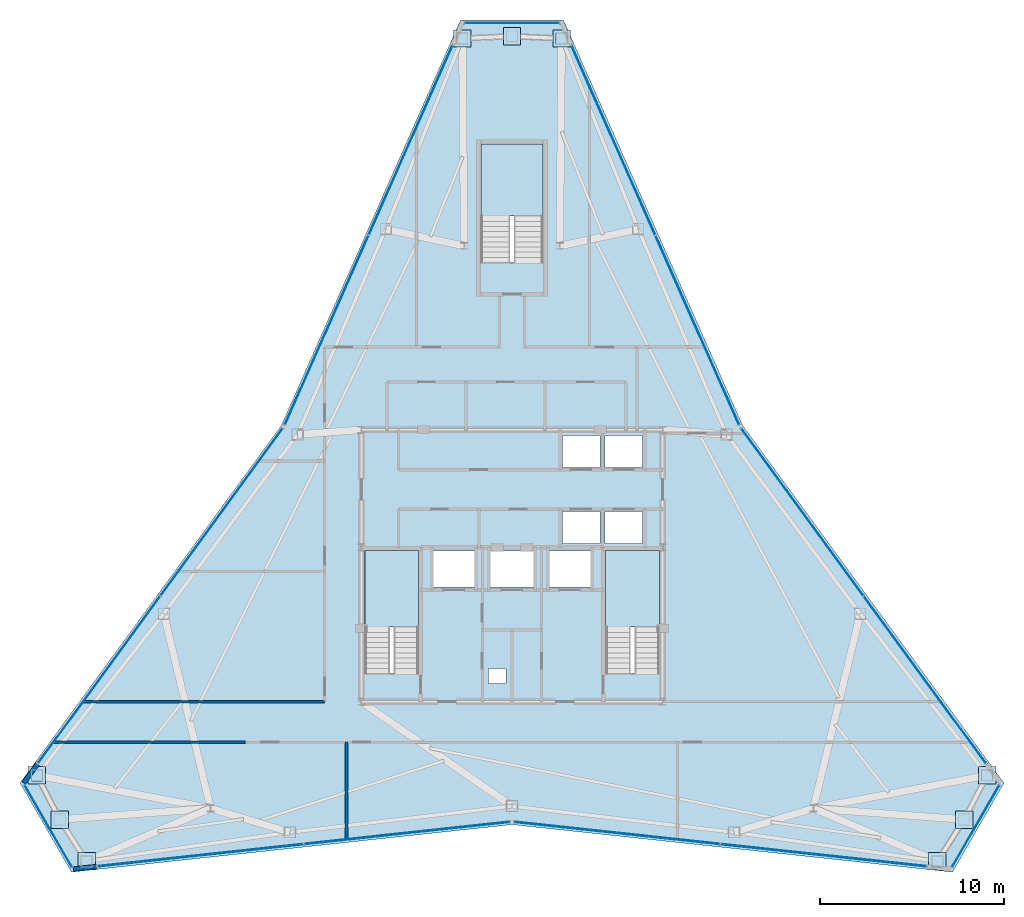
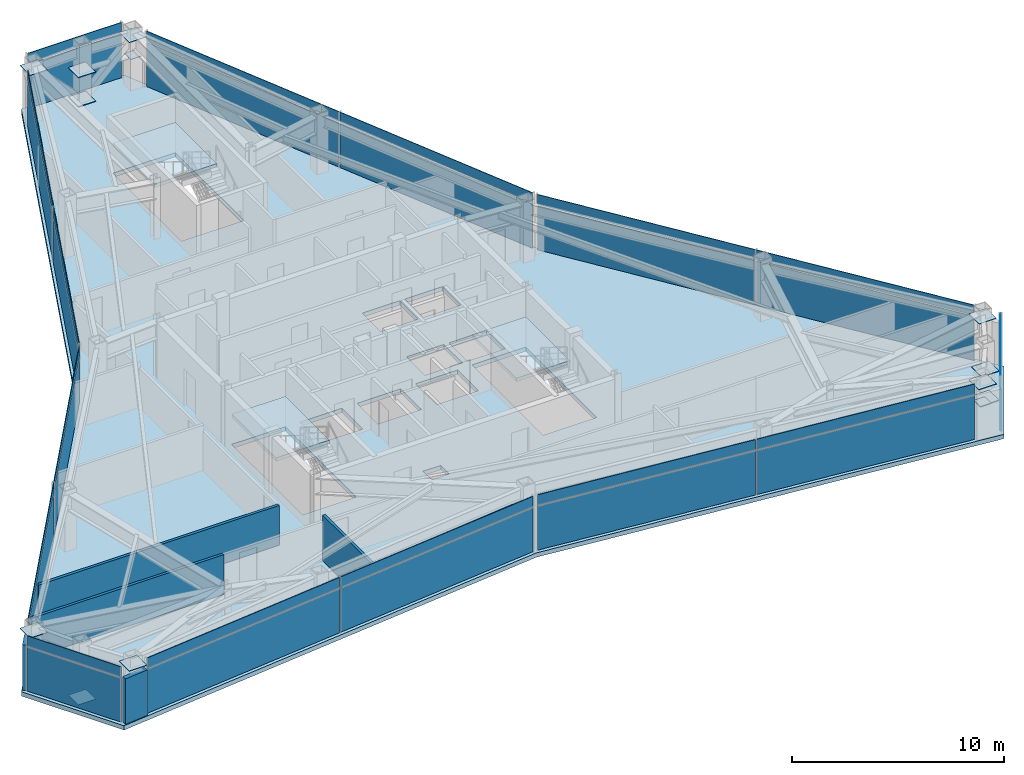
# One storey, part 8 of 12: 45 plates, 5 walls, 4 slabs, 12 elements without a shape of their own.
"""IFC4 building model written with IfcOpenShell, lengths in metres."""

from ifc_helpers import new_model, si_unit, direction, frame, frame_2d, origin, origin_2d, place, context, subcontext, project, spatial, polyline, rectangle, outline, extrude, source, transform, mapped, material, layer, layer_set, type_object, type_shapes, element, aggregate, save


model = new_model("IFC4")

# Units and contexts
model_context = context("Model", 3, precision=1e-05, world=origin(), true_north=direction((0.0, 1.0)))
body_context = subcontext(model_context, "Body", "Model", "MODEL_VIEW")
ifc_project = project(units=[si_unit("LENGTHUNIT", "METRE"), si_unit("AREAUNIT", "SQUARE_METRE"), si_unit("VOLUMEUNIT", "CUBIC_METRE"), si_unit("PLANEANGLEUNIT", "RADIAN"), si_unit("MASSUNIT", "GRAM", prefix="KILO")], contexts=[model_context])

# Site, building, storey
site_placement = place(None, origin())
site = spatial("IfcSite", under=ifc_project, at=site_placement, CompositionType="ELEMENT")
building_placement = place(site_placement, origin())
building = spatial("IfcBuilding", under=site, at=building_placement, Name="Varakhsha Concourse Tower", CompositionType="ELEMENT")
storey_placement = place(building_placement, frame((0.0, 0.0, 265.5)))
storey = spatial("IfcBuildingStorey", under=building, at=storey_placement, Name="L75", CompositionType="ELEMENT", Elevation=265.5)

# Slab
ifc_material_1 = material(Name="Concrete fc 45 MPa", Category="concrete")
ifc_layer_1 = layer(ifc_material_1, 0.25, Name="SL-FLR-250")
ifc_layer_set_1 = layer_set([ifc_layer_1], Name="Concrete fc 45 MPa")
slab_type_1 = type_object("IfcSlabType", Name="SL-FLR-250", PredefinedType="FLOOR", material=ifc_layer_set_1)
slab_1_placement = place(storey_placement, frame((0.0, 0.0, -0.25)))
element("IfcSlab", 1, at=slab_1_placement, inside=storey, type_object=slab_type_1, Name="L75 Composite Structural Slab", PredefinedType="FLOOR", context=body_context, shape_type="SweptSolid", body=[
    extrude(outline(polyline([(42.800048828125, 53.4970703125), (37.199951171875, 53.4970703125), (27.45263671875, 31.444091796875), (13.22802734375, 11.976318359375), (16.028076171875, 7.126708984375), (40.0, 9.711669921875), (63.971923828125, 7.126708984375), (66.77197265625, 11.976318359375), (52.54736328125, 31.444091796875), (42.800048828125, 53.4970703125)]), holes=[polyline([(34.919921875, 17.93994140625), (34.919921875, 24.6298828125), (32.0, 24.6298828125), (32.0, 17.93994140625), (34.919921875, 17.93994140625)]), polyline([(48.02001953125, 17.93994140625), (48.02001953125, 24.6298828125), (45.10009765625, 24.6298828125), (45.10009765625, 17.93994140625), (48.02001953125, 17.93994140625)]), polyline([(41.699951171875, 40.300048828125), (41.699951171875, 46.75), (38.300048828125, 46.75), (38.300048828125, 40.300048828125), (41.699951171875, 40.300048828125)]), polyline([(42.739990234375, 29.159912109375), (44.780029296875, 29.159912109375), (44.780029296875, 30.89990234375), (42.739990234375, 30.89990234375), (42.739990234375, 29.159912109375)]), polyline([(45.06005859375, 29.159912109375), (47.10009765625, 29.159912109375), (47.10009765625, 30.89990234375), (45.06005859375, 30.89990234375), (45.06005859375, 29.159912109375)]), polyline([(42.739990234375, 25.0), (44.780029296875, 25.0), (44.780029296875, 26.739990234375), (42.739990234375, 26.739990234375), (42.739990234375, 25.0)]), polyline([(45.06005859375, 25.0), (47.10009765625, 25.0), (47.10009765625, 26.739990234375), (45.06005859375, 26.739990234375), (45.06005859375, 25.0)]), polyline([(35.7099609375, 22.639892578125), (37.989990234375, 22.639892578125), (37.989990234375, 24.60009765625), (35.7099609375, 24.60009765625), (35.7099609375, 22.639892578125)]), polyline([(42.010009765625, 22.639892578125), (44.2900390625, 22.639892578125), (44.2900390625, 24.60009765625), (42.010009765625, 24.60009765625), (42.010009765625, 22.639892578125)]), polyline([(38.81005859375, 22.639892578125), (41.18994140625, 22.639892578125), (41.18994140625, 24.60009765625), (38.81005859375, 24.60009765625), (38.81005859375, 22.639892578125)]), polyline([(38.719970703125, 17.39990234375), (39.679931640625, 17.39990234375), (39.679931640625, 18.199951171875), (38.719970703125, 18.199951171875), (38.719970703125, 17.39990234375)])]), origin(), (0.0, 0.0, 1.0), 0.25),
])

# Stair, slab
stair_type_1 = type_object("IfcStairType", Name="ST-DOGLEG-1360", PredefinedType="HALF_TURN_STAIR", material=ifc_material_1)
stair_1_placement = place(storey_placement, origin())
stair_1 = element("IfcStair", 2, at=stair_1_placement, inside=storey, type_object=stair_type_1, Name="L75 Protected Exit Stair ST1", PredefinedType="HALF_TURN_STAIR")
ifc_layer_2 = layer(ifc_material_1, 0.199951171875, Name="SL-LAND-200")
ifc_layer_set_2 = layer_set([ifc_layer_2], Name="Concrete fc 45 MPa")
slab_type_2 = type_object("IfcSlabType", Name="SL-LAND-200", PredefinedType="LANDING", material=ifc_layer_set_2)
slab_2_placement = place(storey_placement, frame((0.0, 0.0, 1.550048828125)))
slab_2 = element("IfcSlab", 3, at=slab_2_placement, type_object=slab_type_2, Name="ST1 landing 1", PredefinedType="LANDING", context=body_context, shape_type="SweptSolid", body=[
    extrude(outline(polyline([(34.919921875, 20.4599609375), (34.919921875, 24.6298828125), (32.0, 24.6298828125), (32.0, 20.4599609375), (34.919921875, 20.4599609375)])), origin(), (0.0, 0.0, 1.0), 0.199951171875),
])
aggregate(stair_1, [slab_2])

stair_2_placement = place(storey_placement, origin())
stair_2 = element("IfcStair", 4, at=stair_2_placement, inside=storey, type_object=stair_type_1, Name="L75 Protected Exit Stair ST2", PredefinedType="HALF_TURN_STAIR")
slab_3_placement = place(storey_placement, frame((0.0, 0.0, 1.550048828125)))
slab_3 = element("IfcSlab", 5, at=slab_3_placement, type_object=slab_type_2, Name="ST2 landing 1", PredefinedType="LANDING", context=body_context, shape_type="SweptSolid", body=[
    extrude(outline(polyline([(48.02001953125, 20.4599609375), (48.02001953125, 24.6298828125), (45.10009765625, 24.6298828125), (45.10009765625, 20.4599609375), (48.02001953125, 20.4599609375)])), origin(), (0.0, 0.0, 1.0), 0.199951171875),
])
aggregate(stair_2, [slab_3])

stair_type_2 = type_object("IfcStairType", Name="ST-DOGLEG-1600", PredefinedType="HALF_TURN_STAIR", material=ifc_material_1)
stair_3_placement = place(storey_placement, origin())
stair_3 = element("IfcStair", 6, at=stair_3_placement, inside=storey, type_object=stair_type_2, Name="L75 Protected Exit Stair ST5", PredefinedType="HALF_TURN_STAIR")
slab_4_placement = place(storey_placement, frame((0.0, 0.0, 1.550048828125)))
slab_4 = element("IfcSlab", 7, at=slab_4_placement, type_object=slab_type_2, Name="ST5 landing 1", PredefinedType="LANDING", context=body_context, shape_type="SweptSolid", body=[
    extrude(outline(polyline([(41.699951171875, 42.820068359375), (41.699951171875, 46.75), (38.300048828125, 46.75), (38.300048828125, 42.820068359375), (41.699951171875, 42.820068359375)])), origin(), (0.0, 0.0, 1.0), 0.199951171875),
])
aggregate(stair_3, [slab_4])

# Plates
ifc_material_2 = material(Name="Structural Steel ASTM A572 Grade 50", Category="steel")
ifc_layer_3 = layer(ifc_material_2, 0.030029296875, Name="PL-ENDCAP-950")
ifc_layer_set_3 = layer_set([ifc_layer_3], Name="Structural Steel ASTM A572 Grade 50")
plate_type_1 = type_object("IfcPlateType", Name="PL-ENDCAP-950", PredefinedType="USERDEFINED", material=ifc_layer_set_3)
shared_shape_1 = source(origin(), body_context, "Body", "SweptSolid", [
    extrude(rectangle(XDim=0.949951171875, YDim=0.949951171875, at=origin_2d()), origin(), (0.0, 0.0, 1.0), 0.030029296875),
])
type_shapes(plate_type_1, [shared_shape_1])
for number, where, z_axis, x_axis, name in (
    (8, (40.0, 52.616943359375, 0.10498046875), (0.0, 0.0, 1.0), (1.0, 0.0, 0.0), "Hollow Section End Cap GP-NODE-L75-0796"),
    (9, (42.70361328125, 52.489501953125, 2.93505859375), (0.0, 0.0, 1.0), (1.0, 0.0, 0.0), "Hollow Section End Cap GP-NODE-L75-0797"),
    (10, (37.29638671875, 52.489501953125, 2.93505859375), (0.0, 0.0, 1.0), (1.0, 0.0, 0.0), "Hollow Section End Cap GP-NODE-L75-0798"),
    (11, (15.39013671875, 9.991455078125, 0.10498046875), (0.0, 0.0, 1.0), (1.0, 0.0, 0.0), "Hollow Section End Cap GP-NODE-L75-0799"),
    (12, (14.148681640625, 12.396728515625, 2.93505859375), (0.0, 0.0, 1.0), (1.0, 0.0, 0.0), "Hollow Section End Cap GP-NODE-L75-0800"),
    (13, (16.852294921875, 7.713623046875, 2.93505859375), (0.0, 0.0, 1.0), (1.0, 0.0, 0.0), "Hollow Section End Cap GP-NODE-L75-0801"),
    (14, (64.60986328125, 9.991455078125, 0.10498046875), (0.0, 0.0, 1.0), (1.0, 0.0, 0.0), "Hollow Section End Cap GP-NODE-L75-0802"),
    (15, (63.147705078125, 7.713623046875, 2.93505859375), (0.0, 0.0, 1.0), (1.0, 0.0, 0.0), "Hollow Section End Cap GP-NODE-L75-0803"),
    (16, (65.851318359375, 12.396728515625, 2.93505859375), (0.0, 0.0, 1.0), (1.0, 0.0, 0.0), "Hollow Section End Cap GP-NODE-L75-0804"),
    (17, (40.0, 52.616943359375, 1.78515625), (0.0, 0.0, 1.0), (1.0, 0.0, 0.0), "Hollow Section End Cap GP-NODE-L75-0805"),
    (18, (15.39013671875, 9.991455078125, 1.78515625), (0.0, 0.0, 1.0), (1.0, 0.0, 0.0), "Hollow Section End Cap GP-NODE-L75-0806"),
    (19, (64.60986328125, 9.991455078125, 1.78515625), (0.0, 0.0, 1.0), (1.0, 0.0, 0.0), "Hollow Section End Cap GP-NODE-L75-0807"),
):
    element("IfcPlate", number, at=place(storey_placement, frame(where, z_axis=z_axis, x_axis=x_axis)), inside=storey, type_object=plate_type_1, Name=name, ObjectType="END PLATE", PredefinedType="USERDEFINED", context=body_context, shape_type="MappedRepresentation", body=[
        mapped(shared_shape_1, transform((0.0, 0.0, 0.0), scale=1.0)),
    ])
ifc_layer_4 = layer(ifc_material_2, 0.030029296875, Name="PL-BASE-600")
ifc_layer_set_4 = layer_set([ifc_layer_4], Name="Structural Steel ASTM A572 Grade 50")
plate_type_2 = type_object("IfcPlateType", Name="PL-BASE-600", PredefinedType="SHEET", material=ifc_layer_set_4)
shared_shape_2 = source(origin(), body_context, "Body", "SweptSolid", [
    extrude(rectangle(XDim=0.60009765625, YDim=0.60009765625, at=origin_2d()), origin(), (0.0, 0.0, 1.0), 0.030029296875),
])
type_shapes(plate_type_2, [shared_shape_2])
for number, where, z_axis, x_axis, name in (
    (20, (42.70361328125, 52.489501953125, 1.78515625), (0.0, 0.0, 1.0), (1.0, 0.0, 0.0), "Hollow Section End Cap BP-WTIE-L75-1"),
    (21, (14.148681640625, 12.396728515625, 1.78515625), (0.0, 0.0, 1.0), (1.0, 0.0, 0.0), "Hollow Section End Cap BP-WTIE-L75-2"),
    (22, (63.147705078125, 7.713623046875, 1.78515625), (0.0, 0.0, 1.0), (1.0, 0.0, 0.0), "Hollow Section End Cap BP-WTIE-L75-3"),
):
    element("IfcPlate", number, at=place(storey_placement, frame(where, z_axis=z_axis, x_axis=x_axis)), inside=storey, type_object=plate_type_2, Name=name, PredefinedType="SHEET", context=body_context, shape_type="MappedRepresentation", body=[
        mapped(shared_shape_2, transform((0.0, 0.0, 0.0), scale=1.0)),
    ])

# Curtain wall, plate
ifc_material_3 = material(Name="Anodised Bronze Architectural Aluminium AA 6063-T6", Category="aluminium")
ifc_layer_5 = layer(ifc_material_3, 0.199951171875, Name="CW-SYS-05")
ifc_layer_set_5 = layer_set([ifc_layer_5], Name="Anodised Bronze Architectural Aluminium AA 6063-T6")
curtain_wall_type = type_object("IfcCurtainWallType", Name="CW-SYS-05", PredefinedType="NOTDEFINED", material=ifc_layer_set_5)
curtain_wall_1_placement = place(storey_placement, origin())
curtain_wall_1 = element("IfcCurtainWall", 23, at=curtain_wall_1_placement, inside=storey, type_object=curtain_wall_type, Name="L75 Chamfer Curtain Wall F1", PredefinedType="NOTDEFINED")
ifc_material_4 = material(Name="Insulated Anodised Bronze Aluminium Spandrel 36 mm", Category="aluminium")
ifc_layer_6 = layer(ifc_material_4, 0.035888671875, Name="CWP-SPN-36")
ifc_layer_set_6 = layer_set([ifc_layer_6], Name="Insulated Anodised Bronze Aluminium Spandrel 36 mm")
plate_type_3 = type_object("IfcPlateType", Name="CWP-SPN-36", PredefinedType="USERDEFINED", material=ifc_layer_set_6)
shared_shape_3 = source(origin(), body_context, "Body", "SweptSolid", [
    extrude(rectangle(XDim=5.091064453125, YDim=0.035888671875, at=origin_2d()), origin(), (0.0, 0.0, 1.0), 2.535888671875),
])
plate_1_placement = place(storey_placement, frame((40.0, 53.3369140625, 0.0322265625), z_axis=(0.0, 0.0, 1.0), x_axis=(1.0, 0.0, 0.0)))
plate_1 = element("IfcPlate", 24, at=plate_1_placement, type_object=plate_type_3, Name="CW-L75-F1 Panel 00-00", ObjectType="SPANDREL", PredefinedType="USERDEFINED", context=body_context, shape_type="MappedRepresentation", body=[
    mapped(shared_shape_3, transform((0.0, 0.0, 0.0), scale=1.0)),
])

curtain_wall_2_placement = place(storey_placement, origin())
curtain_wall_2 = element("IfcCurtainWall", 25, at=curtain_wall_2_placement, inside=storey, type_object=curtain_wall_type, Name="L75 Chamfer Curtain Wall F4", PredefinedType="NOTDEFINED")
plate_2_placement = place(storey_placement, frame((14.7666015625, 9.631591796875, 0.0322265625), z_axis=(0.0, 0.0, 1.0), x_axis=(-0.499990930976, 0.866030639725, 0.0)))
plate_2 = element("IfcPlate", 26, at=plate_2_placement, type_object=plate_type_3, Name="CW-L75-F4 Panel 00-00", ObjectType="SPANDREL", PredefinedType="USERDEFINED", context=body_context, shape_type="MappedRepresentation", body=[
    mapped(shared_shape_3, transform((0.0, 0.0, 0.0), scale=1.0)),
])

curtain_wall_3_placement = place(storey_placement, origin())
curtain_wall_3 = element("IfcCurtainWall", 27, at=curtain_wall_3_placement, inside=storey, type_object=curtain_wall_type, Name="L75 Chamfer Curtain Wall F7", PredefinedType="NOTDEFINED")
plate_3_placement = place(storey_placement, frame((65.2333984375, 9.631591796875, 0.0322265625), z_axis=(0.0, 0.0, 1.0), x_axis=(-0.499990930976, -0.866030639725, 0.0)))
plate_3 = element("IfcPlate", 28, at=plate_3_placement, type_object=plate_type_3, Name="CW-L75-F7 Panel 00-00", ObjectType="SPANDREL", PredefinedType="USERDEFINED", context=body_context, shape_type="MappedRepresentation", body=[
    mapped(shared_shape_3, transform((0.0, 0.0, 0.0), scale=1.0)),
])

# Plate
shared_shape_4 = source(origin(), body_context, "Body", "SweptSolid", [
    extrude(rectangle(XDim=5.091064453125, YDim=0.035888671875, at=origin_2d()), origin(), (0.0, 0.0, 1.0), 0.5859375),
])
plate_4_placement = place(storey_placement, frame((40.0, 53.3369140625, 2.632080078125), z_axis=(0.0, 0.0, 1.0), x_axis=(1.0, 0.0, 0.0)))
plate_4 = element("IfcPlate", 29, at=plate_4_placement, type_object=plate_type_3, Name="CW-L75-F1 Panel 00-01", ObjectType="SPANDREL", PredefinedType="USERDEFINED", context=body_context, shape_type="MappedRepresentation", body=[
    mapped(shared_shape_4, transform((0.0, 0.0, 0.0), scale=1.0)),
])

aggregate(curtain_wall_1, [plate_1, plate_4])

plate_5_placement = place(storey_placement, frame((14.7666015625, 9.631591796875, 2.632080078125), z_axis=(0.0, 0.0, 1.0), x_axis=(-0.499990930976, 0.866030639725, 0.0)))
plate_5 = element("IfcPlate", 30, at=plate_5_placement, type_object=plate_type_3, Name="CW-L75-F4 Panel 00-01", ObjectType="SPANDREL", PredefinedType="USERDEFINED", context=body_context, shape_type="MappedRepresentation", body=[
    mapped(shared_shape_4, transform((0.0, 0.0, 0.0), scale=1.0)),
])

aggregate(curtain_wall_2, [plate_2, plate_5])

plate_6_placement = place(storey_placement, frame((65.2333984375, 9.631591796875, 2.632080078125), z_axis=(0.0, 0.0, 1.0), x_axis=(-0.499990930976, -0.866030639725, 0.0)))
plate_6 = element("IfcPlate", 31, at=plate_6_placement, type_object=plate_type_3, Name="CW-L75-F7 Panel 00-01", ObjectType="SPANDREL", PredefinedType="USERDEFINED", context=body_context, shape_type="MappedRepresentation", body=[
    mapped(shared_shape_4, transform((0.0, 0.0, 0.0), scale=1.0)),
])

aggregate(curtain_wall_3, [plate_3, plate_6])

# Curtain wall, plate
curtain_wall_4_placement = place(storey_placement, origin())
curtain_wall_4 = element("IfcCurtainWall", 32, at=curtain_wall_4_placement, inside=storey, type_object=curtain_wall_type, Name="L75 Crystal Curtain Wall F2", PredefinedType="NOTDEFINED")
ifc_material_5 = material(Name="Low-E Triple Insulating Glass IGU 44 mm", Category="glass")
ifc_layer_7 = layer(ifc_material_5, 0.0439453125, Name="CWP-IGU-44")
ifc_layer_set_7 = layer_set([ifc_layer_7], Name="Low-E Triple Insulating Glass IGU 44 mm")
plate_type_4 = type_object("IfcPlateType", Name="CWP-IGU-44", PredefinedType="CURTAIN_PANEL", material=ifc_layer_set_7)
shared_shape_5 = source(origin(), body_context, "Body", "SweptSolid", [
    extrude(rectangle(XDim=11.236572265625, YDim=0.0439453125, at=origin_2d()), origin(), (0.0, 0.0, 1.0), 2.535888671875),
])
plate_7_placement = place(storey_placement, frame((29.91650390625, 36.622802734375, 0.0322265625), z_axis=(0.0, 0.0, 1.0), x_axis=(0.404273357549, 0.914638208461, 0.0)))
plate_7 = element("IfcPlate", 33, at=plate_7_placement, type_object=plate_type_4, Name="CW-L75-F2 Panel 00-00", PredefinedType="CURTAIN_PANEL", context=body_context, shape_type="MappedRepresentation", body=[
    mapped(shared_shape_5, transform((0.0, 0.0, 0.0), scale=1.0)),
])

curtain_wall_5_placement = place(storey_placement, origin())
curtain_wall_5 = element("IfcCurtainWall", 34, at=curtain_wall_5_placement, inside=storey, type_object=curtain_wall_type, Name="L75 Crystal Curtain Wall F9", PredefinedType="NOTDEFINED")
plate_8_placement = place(storey_placement, frame((45.512939453125, 46.96337890625, 0.0322265625), z_axis=(0.0, 0.0, 1.0), x_axis=(0.404273357549, -0.914638208461, 0.0)))
plate_8 = element("IfcPlate", 35, at=plate_8_placement, type_object=plate_type_4, Name="CW-L75-F9 Panel 00-00", PredefinedType="CURTAIN_PANEL", context=body_context, shape_type="MappedRepresentation", body=[
    mapped(shared_shape_5, transform((0.0, 0.0, 0.0), scale=1.0)),
])

# Plate
shared_shape_6 = source(origin(), body_context, "Body", "SweptSolid", [
    extrude(rectangle(XDim=11.236572265625, YDim=0.035888671875, at=origin_2d()), origin(), (0.0, 0.0, 1.0), 0.5859375),
])
plate_9_placement = place(storey_placement, frame((29.91650390625, 36.622802734375, 2.632080078125), z_axis=(0.0, 0.0, 1.0), x_axis=(0.404273357549, 0.914638208461, 0.0)))
plate_9 = element("IfcPlate", 36, at=plate_9_placement, type_object=plate_type_3, Name="CW-L75-F2 Panel 00-01", ObjectType="SPANDREL", PredefinedType="USERDEFINED", context=body_context, shape_type="MappedRepresentation", body=[
    mapped(shared_shape_6, transform((0.0, 0.0, 0.0), scale=1.0)),
])

plate_10_placement = place(storey_placement, frame((45.512939453125, 46.96337890625, 2.632080078125), z_axis=(0.0, 0.0, 1.0), x_axis=(0.404273357549, -0.914638208461, 0.0)))
plate_10 = element("IfcPlate", 37, at=plate_10_placement, type_object=plate_type_3, Name="CW-L75-F9 Panel 00-01", ObjectType="SPANDREL", PredefinedType="USERDEFINED", context=body_context, shape_type="MappedRepresentation", body=[
    mapped(shared_shape_6, transform((0.0, 0.0, 0.0), scale=1.0)),
])

shared_shape_7 = source(origin(), body_context, "Body", "SweptSolid", [
    extrude(rectangle(XDim=11.236328125, YDim=0.0439453125, at=origin_2d()), origin(), (0.0, 0.0, 1.0), 2.535888671875),
])
type_shapes(plate_type_4, [shared_shape_5, shared_shape_7])
plate_11_placement = place(storey_placement, frame((34.487060546875, 46.96337890625, 0.0322265625), z_axis=(0.0, 0.0, 1.0), x_axis=(0.404273357549, 0.914638208461, 0.0)))
plate_11 = element("IfcPlate", 38, at=plate_11_placement, type_object=plate_type_4, Name="CW-L75-F2 Panel 01-00", PredefinedType="CURTAIN_PANEL", context=body_context, shape_type="MappedRepresentation", body=[
    mapped(shared_shape_7, transform((0.0, 0.0, 0.0), scale=1.0)),
])

# Curtain wall, plates
curtain_wall_6_placement = place(storey_placement, origin())
curtain_wall_6 = element("IfcCurtainWall", 39, at=curtain_wall_6_placement, inside=storey, type_object=curtain_wall_type, Name="L75 Crystal Curtain Wall F3", PredefinedType="NOTDEFINED")
plate_12_placement = place(storey_placement, frame((17.530029296875, 17.5927734375, 0.0322265625), z_axis=(0.0, 0.0, 1.0), x_axis=(0.589960426558, 0.807432161296, 0.0)))
plate_12 = element("IfcPlate", 40, at=plate_12_placement, type_object=plate_type_4, Name="CW-L75-F3 Panel 00-00", PredefinedType="CURTAIN_PANEL", context=body_context, shape_type="MappedRepresentation", body=[
    mapped(shared_shape_7, transform((0.0, 0.0, 0.0), scale=1.0)),
])
plate_13_placement = place(storey_placement, frame((24.19970703125, 26.720947265625, 0.0322265625), z_axis=(0.0, 0.0, 1.0), x_axis=(0.589960426558, 0.807432161296, 0.0)))
plate_13 = element("IfcPlate", 41, at=plate_13_placement, type_object=plate_type_4, Name="CW-L75-F3 Panel 01-00", PredefinedType="CURTAIN_PANEL", context=body_context, shape_type="MappedRepresentation", body=[
    mapped(shared_shape_7, transform((0.0, 0.0, 0.0), scale=1.0)),
])

curtain_wall_7_placement = place(storey_placement, origin())
curtain_wall_7 = element("IfcCurtainWall", 42, at=curtain_wall_7_placement, inside=storey, type_object=curtain_wall_type, Name="L75 Crystal Curtain Wall F5", PredefinedType="NOTDEFINED")
plate_14_placement = place(storey_placement, frame((34.283203125, 9.256103515625, 0.0322265625), z_axis=(0.0, 0.0, 1.0), x_axis=(-0.994236415458, -0.10720984179, 0.0)))
plate_14 = element("IfcPlate", 43, at=plate_14_placement, type_object=plate_type_4, Name="CW-L75-F5 Panel 00-00", PredefinedType="CURTAIN_PANEL", context=body_context, shape_type="MappedRepresentation", body=[
    mapped(shared_shape_7, transform((0.0, 0.0, 0.0), scale=1.0)),
])
plate_15_placement = place(storey_placement, frame((23.04296875, 8.0439453125, 0.0322265625), z_axis=(0.0, 0.0, 1.0), x_axis=(-0.994236415458, -0.10720984179, 0.0)))
plate_15 = element("IfcPlate", 44, at=plate_15_placement, type_object=plate_type_4, Name="CW-L75-F5 Panel 01-00", PredefinedType="CURTAIN_PANEL", context=body_context, shape_type="MappedRepresentation", body=[
    mapped(shared_shape_7, transform((0.0, 0.0, 0.0), scale=1.0)),
])

curtain_wall_8_placement = place(storey_placement, origin())
curtain_wall_8 = element("IfcCurtainWall", 45, at=curtain_wall_8_placement, inside=storey, type_object=curtain_wall_type, Name="L75 Crystal Curtain Wall F6", PredefinedType="NOTDEFINED")
plate_16_placement = place(storey_placement, frame((56.95703125, 8.0439453125, 0.0322265625), z_axis=(0.0, 0.0, 1.0), x_axis=(-0.994236415458, 0.10720984179, 0.0)))
plate_16 = element("IfcPlate", 46, at=plate_16_placement, type_object=plate_type_4, Name="CW-L75-F6 Panel 00-00", PredefinedType="CURTAIN_PANEL", context=body_context, shape_type="MappedRepresentation", body=[
    mapped(shared_shape_7, transform((0.0, 0.0, 0.0), scale=1.0)),
])
plate_17_placement = place(storey_placement, frame((45.716796875, 9.256103515625, 0.0322265625), z_axis=(0.0, 0.0, 1.0), x_axis=(-0.994236415458, 0.10720984179, 0.0)))
plate_17 = element("IfcPlate", 47, at=plate_17_placement, type_object=plate_type_4, Name="CW-L75-F6 Panel 01-00", PredefinedType="CURTAIN_PANEL", context=body_context, shape_type="MappedRepresentation", body=[
    mapped(shared_shape_7, transform((0.0, 0.0, 0.0), scale=1.0)),
])

curtain_wall_9_placement = place(storey_placement, origin())
curtain_wall_9 = element("IfcCurtainWall", 48, at=curtain_wall_9_placement, inside=storey, type_object=curtain_wall_type, Name="L75 Crystal Curtain Wall F8", PredefinedType="NOTDEFINED")
plate_18_placement = place(storey_placement, frame((55.80029296875, 26.720947265625, 0.0322265625), z_axis=(0.0, 0.0, 1.0), x_axis=(0.589960426558, -0.807432161296, 0.0)))
plate_18 = element("IfcPlate", 49, at=plate_18_placement, type_object=plate_type_4, Name="CW-L75-F8 Panel 00-00", PredefinedType="CURTAIN_PANEL", context=body_context, shape_type="MappedRepresentation", body=[
    mapped(shared_shape_7, transform((0.0, 0.0, 0.0), scale=1.0)),
])
plate_19_placement = place(storey_placement, frame((62.469970703125, 17.5927734375, 0.0322265625), z_axis=(0.0, 0.0, 1.0), x_axis=(0.589960426558, -0.807432161296, 0.0)))
plate_19 = element("IfcPlate", 50, at=plate_19_placement, type_object=plate_type_4, Name="CW-L75-F8 Panel 01-00", PredefinedType="CURTAIN_PANEL", context=body_context, shape_type="MappedRepresentation", body=[
    mapped(shared_shape_7, transform((0.0, 0.0, 0.0), scale=1.0)),
])

# Plate
plate_20_placement = place(storey_placement, frame((50.08349609375, 36.622802734375, 0.0322265625), z_axis=(0.0, 0.0, 1.0), x_axis=(0.404273357549, -0.914638208461, 0.0)))
plate_20 = element("IfcPlate", 51, at=plate_20_placement, type_object=plate_type_4, Name="CW-L75-F9 Panel 01-00", PredefinedType="CURTAIN_PANEL", context=body_context, shape_type="MappedRepresentation", body=[
    mapped(shared_shape_7, transform((0.0, 0.0, 0.0), scale=1.0)),
])

shared_shape_8 = source(origin(), body_context, "Body", "SweptSolid", [
    extrude(rectangle(XDim=11.236328125, YDim=0.035888671875, at=origin_2d()), origin(), (0.0, 0.0, 1.0), 0.5859375),
])
type_shapes(plate_type_3, [shared_shape_3, shared_shape_4, shared_shape_6, shared_shape_8])
plate_21_placement = place(storey_placement, frame((34.487060546875, 46.96337890625, 2.632080078125), z_axis=(0.0, 0.0, 1.0), x_axis=(0.404273357549, 0.914638208461, 0.0)))
plate_21 = element("IfcPlate", 52, at=plate_21_placement, type_object=plate_type_3, Name="CW-L75-F2 Panel 01-01", ObjectType="SPANDREL", PredefinedType="USERDEFINED", context=body_context, shape_type="MappedRepresentation", body=[
    mapped(shared_shape_8, transform((0.0, 0.0, 0.0), scale=1.0)),
])

aggregate(curtain_wall_4, [plate_7, plate_9, plate_11, plate_21])

plate_22_placement = place(storey_placement, frame((17.530029296875, 17.5927734375, 2.632080078125), z_axis=(0.0, 0.0, 1.0), x_axis=(0.589960426558, 0.807432161296, 0.0)))
plate_22 = element("IfcPlate", 53, at=plate_22_placement, type_object=plate_type_3, Name="CW-L75-F3 Panel 00-01", ObjectType="SPANDREL", PredefinedType="USERDEFINED", context=body_context, shape_type="MappedRepresentation", body=[
    mapped(shared_shape_8, transform((0.0, 0.0, 0.0), scale=1.0)),
])

plate_23_placement = place(storey_placement, frame((24.19970703125, 26.720947265625, 2.632080078125), z_axis=(0.0, 0.0, 1.0), x_axis=(0.589960426558, 0.807432161296, 0.0)))
plate_23 = element("IfcPlate", 54, at=plate_23_placement, type_object=plate_type_3, Name="CW-L75-F3 Panel 01-01", ObjectType="SPANDREL", PredefinedType="USERDEFINED", context=body_context, shape_type="MappedRepresentation", body=[
    mapped(shared_shape_8, transform((0.0, 0.0, 0.0), scale=1.0)),
])

aggregate(curtain_wall_6, [plate_12, plate_22, plate_13, plate_23])

plate_24_placement = place(storey_placement, frame((34.283203125, 9.256103515625, 2.632080078125), z_axis=(0.0, 0.0, 1.0), x_axis=(-0.994236415458, -0.10720984179, 0.0)))
plate_24 = element("IfcPlate", 55, at=plate_24_placement, type_object=plate_type_3, Name="CW-L75-F5 Panel 00-01", ObjectType="SPANDREL", PredefinedType="USERDEFINED", context=body_context, shape_type="MappedRepresentation", body=[
    mapped(shared_shape_8, transform((0.0, 0.0, 0.0), scale=1.0)),
])

plate_25_placement = place(storey_placement, frame((23.04296875, 8.0439453125, 2.632080078125), z_axis=(0.0, 0.0, 1.0), x_axis=(-0.994236415458, -0.10720984179, 0.0)))
plate_25 = element("IfcPlate", 56, at=plate_25_placement, type_object=plate_type_3, Name="CW-L75-F5 Panel 01-01", ObjectType="SPANDREL", PredefinedType="USERDEFINED", context=body_context, shape_type="MappedRepresentation", body=[
    mapped(shared_shape_8, transform((0.0, 0.0, 0.0), scale=1.0)),
])

aggregate(curtain_wall_7, [plate_14, plate_24, plate_15, plate_25])

plate_26_placement = place(storey_placement, frame((56.95703125, 8.0439453125, 2.632080078125), z_axis=(0.0, 0.0, 1.0), x_axis=(-0.994236415458, 0.10720984179, 0.0)))
plate_26 = element("IfcPlate", 57, at=plate_26_placement, type_object=plate_type_3, Name="CW-L75-F6 Panel 00-01", ObjectType="SPANDREL", PredefinedType="USERDEFINED", context=body_context, shape_type="MappedRepresentation", body=[
    mapped(shared_shape_8, transform((0.0, 0.0, 0.0), scale=1.0)),
])

plate_27_placement = place(storey_placement, frame((45.716796875, 9.256103515625, 2.632080078125), z_axis=(0.0, 0.0, 1.0), x_axis=(-0.994236415458, 0.10720984179, 0.0)))
plate_27 = element("IfcPlate", 58, at=plate_27_placement, type_object=plate_type_3, Name="CW-L75-F6 Panel 01-01", ObjectType="SPANDREL", PredefinedType="USERDEFINED", context=body_context, shape_type="MappedRepresentation", body=[
    mapped(shared_shape_8, transform((0.0, 0.0, 0.0), scale=1.0)),
])

aggregate(curtain_wall_8, [plate_16, plate_26, plate_17, plate_27])

plate_28_placement = place(storey_placement, frame((55.80029296875, 26.720947265625, 2.632080078125), z_axis=(0.0, 0.0, 1.0), x_axis=(0.589960426558, -0.807432161296, 0.0)))
plate_28 = element("IfcPlate", 59, at=plate_28_placement, type_object=plate_type_3, Name="CW-L75-F8 Panel 00-01", ObjectType="SPANDREL", PredefinedType="USERDEFINED", context=body_context, shape_type="MappedRepresentation", body=[
    mapped(shared_shape_8, transform((0.0, 0.0, 0.0), scale=1.0)),
])

plate_29_placement = place(storey_placement, frame((62.469970703125, 17.5927734375, 2.632080078125), z_axis=(0.0, 0.0, 1.0), x_axis=(0.589960426558, -0.807432161296, 0.0)))
plate_29 = element("IfcPlate", 60, at=plate_29_placement, type_object=plate_type_3, Name="CW-L75-F8 Panel 01-01", ObjectType="SPANDREL", PredefinedType="USERDEFINED", context=body_context, shape_type="MappedRepresentation", body=[
    mapped(shared_shape_8, transform((0.0, 0.0, 0.0), scale=1.0)),
])

aggregate(curtain_wall_9, [plate_18, plate_28, plate_19, plate_29])

plate_30_placement = place(storey_placement, frame((50.08349609375, 36.622802734375, 2.632080078125), z_axis=(0.0, 0.0, 1.0), x_axis=(0.404273357549, -0.914638208461, 0.0)))
plate_30 = element("IfcPlate", 61, at=plate_30_placement, type_object=plate_type_3, Name="CW-L75-F9 Panel 01-01", ObjectType="SPANDREL", PredefinedType="USERDEFINED", context=body_context, shape_type="MappedRepresentation", body=[
    mapped(shared_shape_8, transform((0.0, 0.0, 0.0), scale=1.0)),
])

aggregate(curtain_wall_5, [plate_8, plate_10, plate_20, plate_30])

# Walls
ifc_layer_8 = layer(ifc_material_1, 0.239990234375, Name="WL-EXT-CRN-240")
ifc_layer_set_8 = layer_set([ifc_layer_8], Name="Concrete fc 45 MPa")
wall_type_1 = type_object("IfcWallType", Name="WL-EXT-CRN-240", PredefinedType="SHEAR", material=ifc_layer_set_8)
for number, where, z_axis, x_axis, name in (
    (62, (14.17578125, 13.002197265625, 0.0), (0.0, 0.0, 1.0), (-0.589920134733, -0.807461599481, 0.0), "L75 Wind-Corner Shoulder Wall F3"),
    (63, (16.12841796875, 7.29833984375, 0.0), (0.0, 0.0, 1.0), (0.994223700758, 0.107327689113, 0.0), "L75 Wind-Corner Shoulder Wall F5"),
):
    element("IfcWall", number, at=place(storey_placement, frame(where, z_axis=z_axis, x_axis=x_axis)), inside=storey, type_object=wall_type_1, Name=name, PredefinedType="SHEAR", context=body_context, shape_type="SweptSolid", body=[
        extrude(rectangle(XDim=1.269287109375, YDim=0.239990234375, at=frame_2d((0.634765625, 0.0))), origin(), (0.0, 0.0, 1.0), 2.623046875),
    ])
ifc_material_6 = material(Name="Fire-Rated Type X Gypsum Partition Assembly", Category="gypsum")
ifc_layer_9 = layer(ifc_material_6, 0.14990234375, Name="WL-PART-150")
ifc_layer_set_9 = layer_set([ifc_layer_9], Name="Fire-Rated Type X Gypsum Partition Assembly")
wall_type_2 = type_object("IfcWallType", Name="WL-PART-150", PredefinedType="PARTITIONING", material=ifc_layer_set_9)
wall_1_placement = place(storey_placement, frame((15.05712890625, 14.199951171875, 0.0), z_axis=(0.0, 0.0, 1.0), x_axis=(1.0, 0.0, 0.0)))
element("IfcWall", 64, at=wall_1_placement, inside=storey, type_object=wall_type_2, Name="L75 Wall CRW-SGAL-SW-L75", PredefinedType="PARTITIONING", context=body_context, shape_type="SweptSolid", body=[
    extrude(rectangle(XDim=10.44287109375, YDim=0.14990234375, at=frame_2d((5.221435546875, 0.0))), origin(), (0.0, 0.0, 1.0), 2.2919921875),
])
wall_2_placement = place(storey_placement, frame((16.66455078125, 16.39990234375, 0.0), z_axis=(0.0, 0.0, 1.0), x_axis=(1.0, 0.0, 0.0)))
element("IfcWall", 65, at=wall_2_placement, inside=storey, type_object=wall_type_2, Name="L75 Wall CRW-SGAL-NW-L75", PredefinedType="PARTITIONING", context=body_context, shape_type="SweptSolid", body=[
    extrude(rectangle(XDim=13.135498046875, YDim=0.14990234375, at=frame_2d((6.56787109375, 0.0))), origin(), (0.0, 0.0, 1.0), 2.2919921875),
])
wall_3_placement = place(storey_placement, frame((31.0, 8.906982421875, 0.0), z_axis=(0.0, 0.0, 1.0), x_axis=(0.0, 1.0, 0.0)))
element("IfcWall", 66, at=wall_3_placement, inside=storey, type_object=wall_type_2, Name="L75 Wall ODIV-S1-L75", PredefinedType="PARTITIONING", context=body_context, shape_type="SweptSolid", body=[
    extrude(rectangle(XDim=5.29296875, YDim=0.14990234375, at=frame_2d((2.646484375, 0.0))), origin(), (0.0, 0.0, 1.0), 2.6279296875),
])

save(model, "model.ifc")
